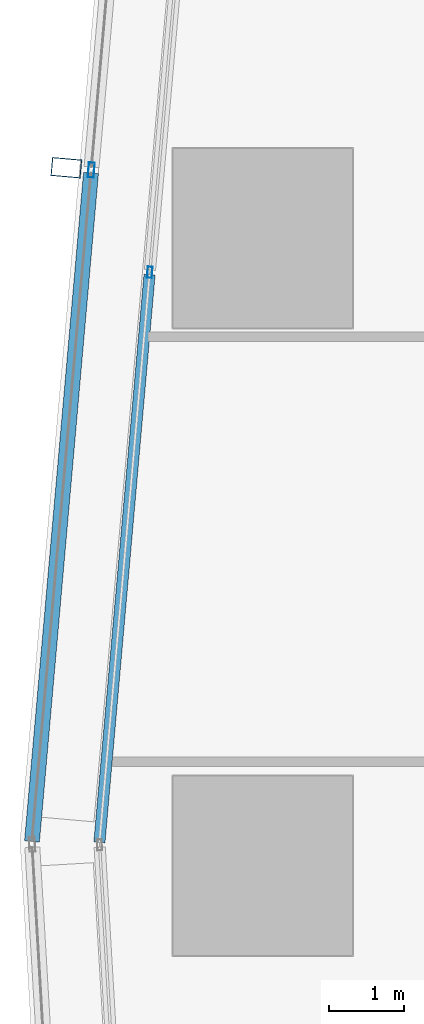
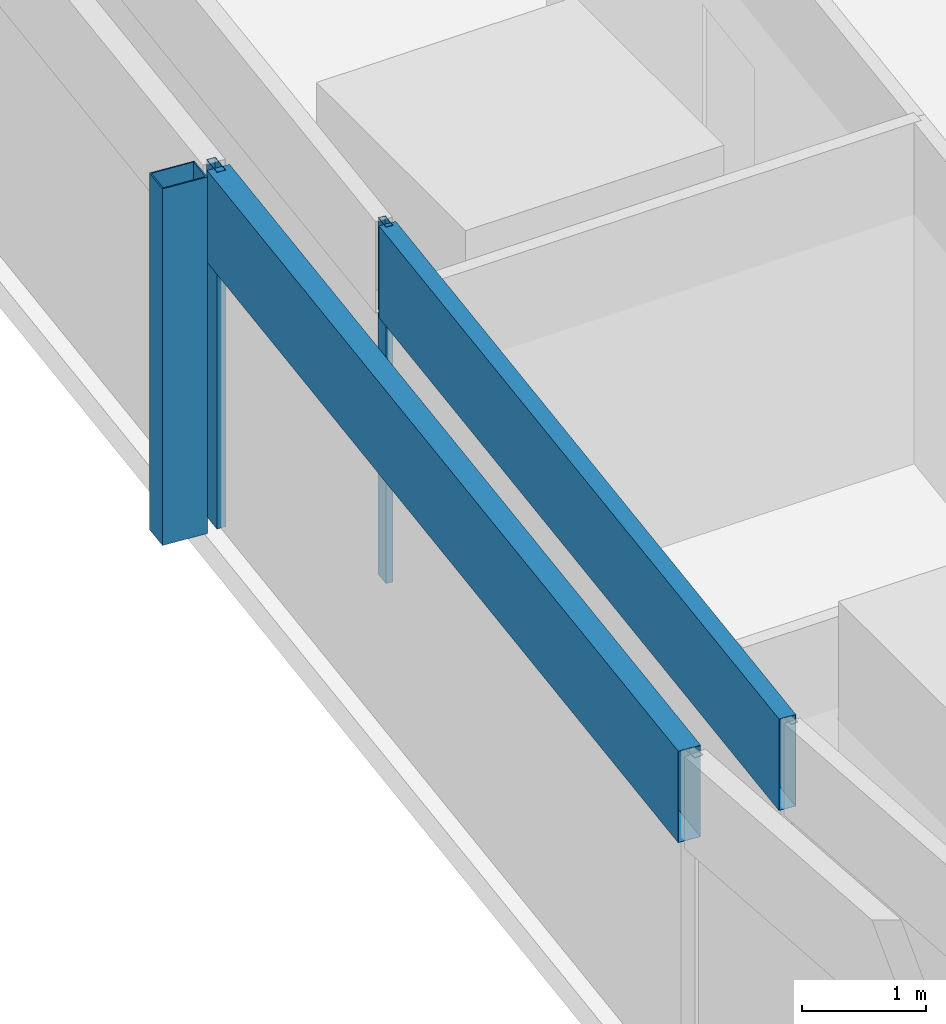
# One storey, part 14 of 37: 5 members, 2 elements without a shape of their own.
"""IFC4 building model written with IfcOpenShell, lengths in metres."""

from ifc_helpers import new_model, si_unit, direction, frame, origin, origin_2d, place, context, subcontext, project, spatial, hollow_rectangle, extrude, material, material_profile, profile_set, type_object, element, aggregate, save


model = new_model("IFC4")

# Units and contexts
model_context = context("Model", 3, precision=1e-05, world=origin(), true_north=direction((0.0, 1.0)))
body_context = subcontext(model_context, "Body", "Model", "MODEL_VIEW")
ifc_project = project(units=[si_unit("LENGTHUNIT", "METRE"), si_unit("AREAUNIT", "SQUARE_METRE"), si_unit("VOLUMEUNIT", "CUBIC_METRE"), si_unit("PLANEANGLEUNIT", "RADIAN"), si_unit("MASSUNIT", "GRAM", prefix="KILO")], contexts=[model_context])

# Site, building, storey
site_placement = place(None, origin())
site = spatial("IfcSite", under=ifc_project, at=site_placement, CompositionType="ELEMENT")
building_placement = place(site_placement, origin())
building = spatial("IfcBuilding", under=site, at=building_placement, Name="Rekha Terrace Tower", CompositionType="ELEMENT")
storey_placement = place(building_placement, frame((0.0, 0.0, 232.699951171875)))
storey = spatial("IfcBuildingStorey", under=building, at=storey_placement, Name="L59", CompositionType="ELEMENT", Elevation=232.699951171875)

# Curtain wall, member
ifc_material_1 = material(Name="Aluminium framing", Category="aluminium")
curtain_wall_type_1 = type_object("IfcCurtainWallType", Name="CW2 double skin outer glazing", PredefinedType="USERDEFINED", material=ifc_material_1)
curtain_wall_1_placement = place(storey_placement, origin())
curtain_wall_1 = element("IfcCurtainWall", 1, at=curtain_wall_1_placement, inside=storey, type_object=curtain_wall_type_1, Name="CW2 double skin outer glazing", ObjectType="DOUBLE SKIN OUTER GLAZING", PredefinedType="USERDEFINED")
ifc_material_2 = material(Name="Steel S355 with fluorocarbon finish", Category="steel")
ifc_material_profile_1 = material_profile(ifc_material_2, hollow_rectangle(XDim=0.25, YDim=0.39990234375, WallThickness=0.012451171875, at=origin_2d()), Name="RHS400x250x12.5")
ifc_profile_set_1 = profile_set([ifc_material_profile_1], Name="Steel S355 with fluorocarbon finish")
member_type_1 = type_object("IfcMemberType", Name="BL1 facade blade RHS 400 x 250", PredefinedType="USERDEFINED", material=ifc_profile_set_1)
member_1_placement = place(storey_placement, frame((5.77001953125, 51.341796875, 0.0), z_axis=(0.0, 0.0, 1.0), x_axis=(-0.087957249501, -0.996124250413, 0.0)))
member_1 = element("IfcMember", 2, at=member_1_placement, type_object=member_type_1, Name="Facade blade", ObjectType="FACADE BLADE", PredefinedType="USERDEFINED", context=body_context, shape_type="SweptSolid", body=[
    extrude(hollow_rectangle(XDim=0.25, YDim=0.39990234375, WallThickness=0.012451171875, at=origin_2d()), origin(), (0.0, 0.0, 1.0), 3.5),
])

# Curtain wall, members
curtain_wall_type_2 = type_object("IfcCurtainWallType", Name="CW1 double skin inner glazing", PredefinedType="USERDEFINED", material=ifc_material_1)
curtain_wall_2_placement = place(storey_placement, origin())
curtain_wall_2 = element("IfcCurtainWall", 3, at=curtain_wall_2_placement, inside=storey, type_object=curtain_wall_type_2, Name="CW1 double skin inner glazing", ObjectType="DOUBLE SKIN INNER GLAZING", PredefinedType="USERDEFINED")
ifc_material_3 = material(Name="Aluminium mullion section", Category="aluminium")
ifc_material_profile_2 = material_profile(ifc_material_3, hollow_rectangle(XDim=0.06494140625, YDim=0.14990234375, WallThickness=0.00390625, at=origin_2d()), Name="AL RHS 65x150")
ifc_profile_set_2 = profile_set([ifc_material_profile_2], Name="Aluminium mullion section")
member_type_2 = type_object("IfcMemberType", Name="CW1 mullion RHS 65 x 150", PredefinedType="MULLION", material=ifc_profile_set_2)
member_2_placement = place(storey_placement, frame((6.886474609375, 49.943115234375, 0.0), z_axis=(0.0, 0.0, 1.0), x_axis=(0.996124185427, -0.087957985471, 0.0)))
member_2 = element("IfcMember", 4, at=member_2_placement, type_object=member_type_2, Name="CW1 mullion 2", PredefinedType="MULLION", context=body_context, shape_type="SweptSolid", body=[
    extrude(hollow_rectangle(XDim=0.06494140625, YDim=0.14990234375, WallThickness=0.00390625, at=origin_2d()), origin(), (0.0, 0.0, 1.0), 3.5),
])
ifc_material_4 = material(Name="Insulated aluminium spandrel box", Category="aluminium")
ifc_material_profile_3 = material_profile(ifc_material_4, hollow_rectangle(XDim=0.14990234375, YDim=0.89990234375, WallThickness=0.0029296875, at=origin_2d()), Name="AL SPANDREL BOX 150x900")
ifc_profile_set_3 = profile_set([ifc_material_profile_3], Name="Insulated aluminium spandrel box")
member_type_3 = type_object("IfcMemberType", Name="CW1 spandrel transom 150 x 900", PredefinedType="USERDEFINED", material=ifc_profile_set_3)
member_3_placement = place(storey_placement, frame((6.883544921875, 49.91064453125, 3.050048828125), z_axis=(-0.087977901536, -0.996122426633, 0.0), x_axis=(0.996122426633, -0.087977901536, 0.0)))
member_3 = element("IfcMember", 5, at=member_3_placement, type_object=member_type_3, Name="CW1 spandrel transom 2", ObjectType="TRANSOM", PredefinedType="USERDEFINED", context=body_context, shape_type="SweptSolid", body=[
    extrude(hollow_rectangle(XDim=0.14990234375, YDim=0.89990234375, WallThickness=0.0029296875, at=origin_2d()), origin(), (0.0, 0.0, 1.0), 7.625732421875),
])
aggregate(curtain_wall_2, [member_2, member_3])

# Member
ifc_material_profile_4 = material_profile(ifc_material_3, hollow_rectangle(XDim=0.080078125, YDim=0.199951171875, WallThickness=0.00390625, at=origin_2d()), Name="AL RHS 80x200")
ifc_profile_set_4 = profile_set([ifc_material_profile_4], Name="Aluminium mullion section")
member_type_4 = type_object("IfcMemberType", Name="CW2 mullion RHS 80 x 200", PredefinedType="MULLION", material=ifc_profile_set_4)
member_4_placement = place(storey_placement, frame((6.103759765625, 51.312255859375, 0.0), z_axis=(0.0, 0.0, 1.0), x_axis=(0.996124185428, -0.087957985453, 0.0)))
member_4 = element("IfcMember", 6, at=member_4_placement, type_object=member_type_4, Name="CW2 mullion 2", PredefinedType="MULLION", context=body_context, shape_type="SweptSolid", body=[
    extrude(hollow_rectangle(XDim=0.080078125, YDim=0.199951171875, WallThickness=0.00390625, at=origin_2d()), origin(), (0.0, 0.0, 1.0), 3.5),
])

ifc_material_profile_5 = material_profile(ifc_material_4, hollow_rectangle(XDim=0.199951171875, YDim=0.89990234375, WallThickness=0.0029296875, at=origin_2d()), Name="AL SPANDREL BOX 200x900")
ifc_profile_set_5 = profile_set([ifc_material_profile_5], Name="Insulated aluminium spandrel box")
member_type_5 = type_object("IfcMemberType", Name="CW2 spandrel transom 200 x 900", PredefinedType="USERDEFINED", material=ifc_profile_set_5)
member_5_placement = place(storey_placement, frame((6.100341796875, 51.2724609375, 3.050048828125), z_axis=(-0.087981092326, -0.996122144816, 0.0), x_axis=(0.996122144816, -0.087981092326, 0.0)))
member_5 = element("IfcMember", 7, at=member_5_placement, type_object=member_type_5, Name="CW2 spandrel transom 2", ObjectType="TRANSOM", PredefinedType="USERDEFINED", context=body_context, shape_type="SweptSolid", body=[
    extrude(hollow_rectangle(XDim=0.199951171875, YDim=0.89990234375, WallThickness=0.0029296875, at=origin_2d()), origin(), (0.0, 0.0, 1.0), 8.979736328125),
])

aggregate(curtain_wall_1, [member_4, member_5, member_1])

save(model, "model.ifc")
